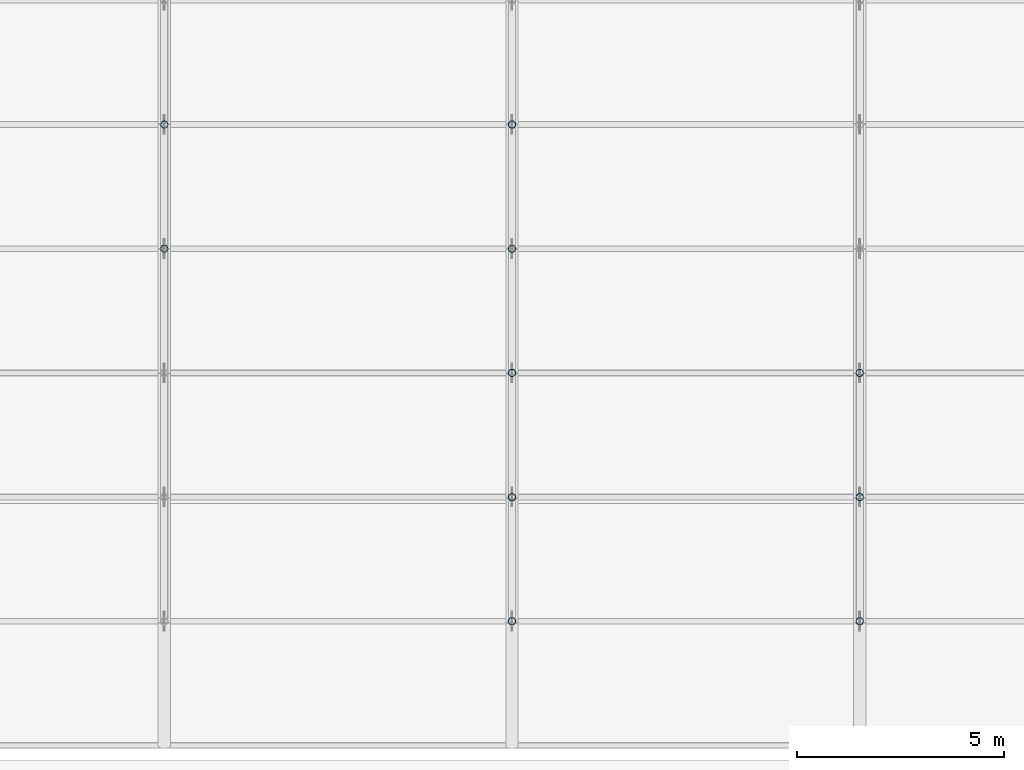
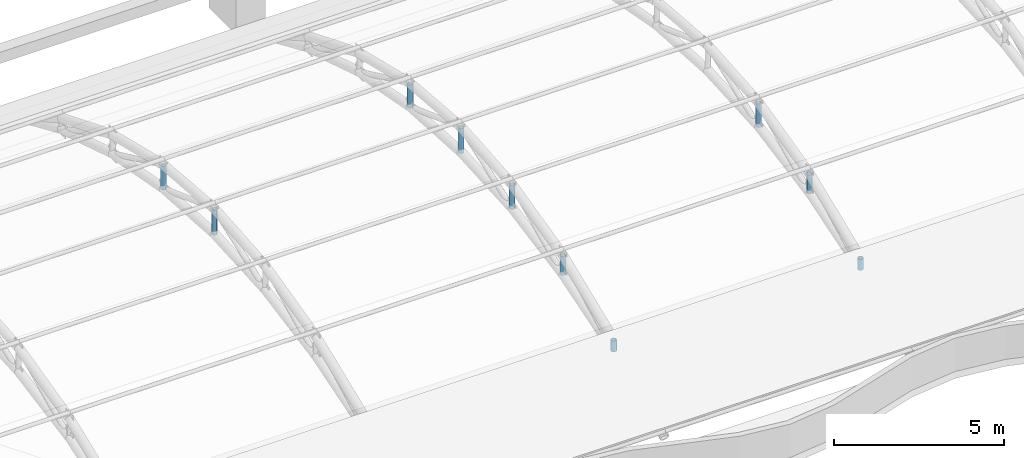
# One storey, part 67 of 163: 10 members.
"""IFC4 building model written with IfcOpenShell, lengths in metres."""

from ifc_helpers import new_model, si_unit, direction, frame, origin, origin_2d, place, context, subcontext, project, spatial, hollow_circle, extrude, material, material_profile, profile_set, type_object, element, save


model = new_model("IFC4")

# Units and contexts
model_context = context("Model", 3, precision=1e-05, world=origin(), true_north=direction((0.0, 1.0)))
body_context = subcontext(model_context, "Body", "Model", "MODEL_VIEW")
ifc_project = project(units=[si_unit("LENGTHUNIT", "METRE"), si_unit("AREAUNIT", "SQUARE_METRE"), si_unit("VOLUMEUNIT", "CUBIC_METRE"), si_unit("PLANEANGLEUNIT", "RADIAN"), si_unit("MASSUNIT", "GRAM", prefix="KILO")], contexts=[model_context])

# Site, building, storey
site_placement = place(None, origin())
site = spatial("IfcSite", under=ifc_project, at=site_placement, CompositionType="ELEMENT")
building_placement = place(site_placement, origin())
building = spatial("IfcBuilding", under=site, at=building_placement, Name="Rain Tree Exposition and Congress Centre", CompositionType="ELEMENT")
storey_placement = place(building_placement, frame((0.0, 0.0, 10.5)))
storey = spatial("IfcBuildingStorey", under=building, at=storey_placement, Name="L02", CompositionType="ELEMENT", Elevation=10.5)

# Members
ifc_material = material(Name="Steel S355J2H", Category="steel")
ifc_material_profile = material_profile(ifc_material, hollow_circle(Radius=0.090087890625, WallThickness=0.008056640625, at=origin_2d()), Name="CHS 180x8")
ifc_profile_set = profile_set([ifc_material_profile], Name="Steel S355J2H")
member_type = type_object("IfcMemberType", Name="Steel post member CHS 180x8", PredefinedType="POST", material=ifc_profile_set)
member_1_placement = place(storey_placement, frame((33.60009765625, 87.60009765625, 3.1298828125), z_axis=(0.0, 0.0, 1.0), x_axis=(1.0, 0.0, 0.0)))
element("IfcMember", 1, at=member_1_placement, inside=storey, type_object=member_type, Name="Roof truss 5 post 4", PredefinedType="POST", context=body_context, shape_type="SweptSolid", body=[
    extrude(hollow_circle(Radius=0.090087890625, WallThickness=0.008056640625, at=origin_2d()), origin(), (0.0, 0.0, 1.0), 0.900146484375),
])
member_2_placement = place(storey_placement, frame((33.60009765625, 90.60009765625, 2.9423828125), z_axis=(0.0, 0.0, 1.0), x_axis=(1.0, 0.0, 0.0)))
element("IfcMember", 2, at=member_2_placement, inside=storey, type_object=member_type, Name="Roof truss 5 post 5", PredefinedType="POST", context=body_context, shape_type="SweptSolid", body=[
    extrude(hollow_circle(Radius=0.090087890625, WallThickness=0.008056640625, at=origin_2d()), origin(), (0.0, 0.0, 1.0), 0.843994140625),
])
member_3_placement = place(storey_placement, frame((42.0, 78.60009765625, 1.4423828125), z_axis=(0.0, 0.0, 1.0), x_axis=(1.0, 0.0, 0.0)))
element("IfcMember", 3, at=member_3_placement, inside=storey, type_object=member_type, Name="Roof truss 6 post 1", PredefinedType="POST", context=body_context, shape_type="SweptSolid", body=[
    extrude(hollow_circle(Radius=0.090087890625, WallThickness=0.008056640625, at=origin_2d()), origin(), (0.0, 0.0, 1.0), 0.393798828125),
])
member_4_placement = place(storey_placement, frame((42.0, 81.60009765625, 2.3798828125), z_axis=(0.0, 0.0, 1.0), x_axis=(1.0, 0.0, 0.0)))
element("IfcMember", 4, at=member_4_placement, inside=storey, type_object=member_type, Name="Roof truss 6 post 2", PredefinedType="POST", context=body_context, shape_type="SweptSolid", body=[
    extrude(hollow_circle(Radius=0.090087890625, WallThickness=0.008056640625, at=origin_2d()), origin(), (0.0, 0.0, 1.0), 0.675048828125),
])
member_5_placement = place(storey_placement, frame((42.0, 84.60009765625, 2.9423828125), z_axis=(0.0, 0.0, 1.0), x_axis=(1.0, 0.0, 0.0)))
element("IfcMember", 5, at=member_5_placement, inside=storey, type_object=member_type, Name="Roof truss 6 post 3", PredefinedType="POST", context=body_context, shape_type="SweptSolid", body=[
    extrude(hollow_circle(Radius=0.090087890625, WallThickness=0.008056640625, at=origin_2d()), origin(), (0.0, 0.0, 1.0), 0.843994140625),
])
member_6_placement = place(storey_placement, frame((42.0, 87.60009765625, 3.1298828125), z_axis=(0.0, 0.0, 1.0), x_axis=(1.0, 0.0, 0.0)))
element("IfcMember", 6, at=member_6_placement, inside=storey, type_object=member_type, Name="Roof truss 6 post 4", PredefinedType="POST", context=body_context, shape_type="SweptSolid", body=[
    extrude(hollow_circle(Radius=0.090087890625, WallThickness=0.008056640625, at=origin_2d()), origin(), (0.0, 0.0, 1.0), 0.900146484375),
])
member_7_placement = place(storey_placement, frame((42.0, 90.60009765625, 2.9423828125), z_axis=(0.0, 0.0, 1.0), x_axis=(1.0, 0.0, 0.0)))
element("IfcMember", 7, at=member_7_placement, inside=storey, type_object=member_type, Name="Roof truss 6 post 5", PredefinedType="POST", context=body_context, shape_type="SweptSolid", body=[
    extrude(hollow_circle(Radius=0.090087890625, WallThickness=0.008056640625, at=origin_2d()), origin(), (0.0, 0.0, 1.0), 0.843994140625),
])
member_8_placement = place(storey_placement, frame((50.39990234375, 78.60009765625, 1.4423828125), z_axis=(0.0, 0.0, 1.0), x_axis=(1.0, 0.0, 0.0)))
element("IfcMember", 8, at=member_8_placement, inside=storey, type_object=member_type, Name="Roof truss 7 post 1", PredefinedType="POST", context=body_context, shape_type="SweptSolid", body=[
    extrude(hollow_circle(Radius=0.090087890625, WallThickness=0.008056640625, at=origin_2d()), origin(), (0.0, 0.0, 1.0), 0.393798828125),
])
member_9_placement = place(storey_placement, frame((50.39990234375, 81.60009765625, 2.3798828125), z_axis=(0.0, 0.0, 1.0), x_axis=(1.0, 0.0, 0.0)))
element("IfcMember", 9, at=member_9_placement, inside=storey, type_object=member_type, Name="Roof truss 7 post 2", PredefinedType="POST", context=body_context, shape_type="SweptSolid", body=[
    extrude(hollow_circle(Radius=0.090087890625, WallThickness=0.008056640625, at=origin_2d()), origin(), (0.0, 0.0, 1.0), 0.675048828125),
])
member_10_placement = place(storey_placement, frame((50.39990234375, 84.60009765625, 2.9423828125), z_axis=(0.0, 0.0, 1.0), x_axis=(1.0, 0.0, 0.0)))
element("IfcMember", 10, at=member_10_placement, inside=storey, type_object=member_type, Name="Roof truss 7 post 3", PredefinedType="POST", context=body_context, shape_type="SweptSolid", body=[
    extrude(hollow_circle(Radius=0.090087890625, WallThickness=0.008056640625, at=origin_2d()), origin(), (0.0, 0.0, 1.0), 0.843994140625),
])

save(model, "model.ifc")
